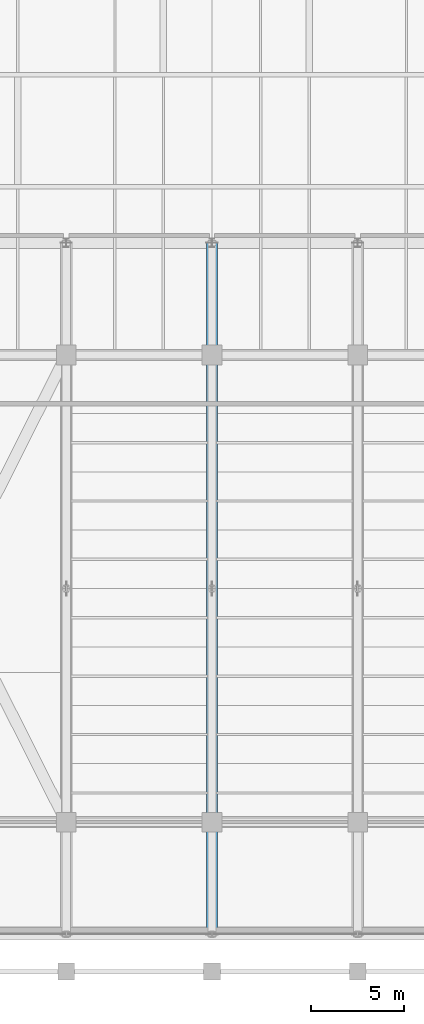
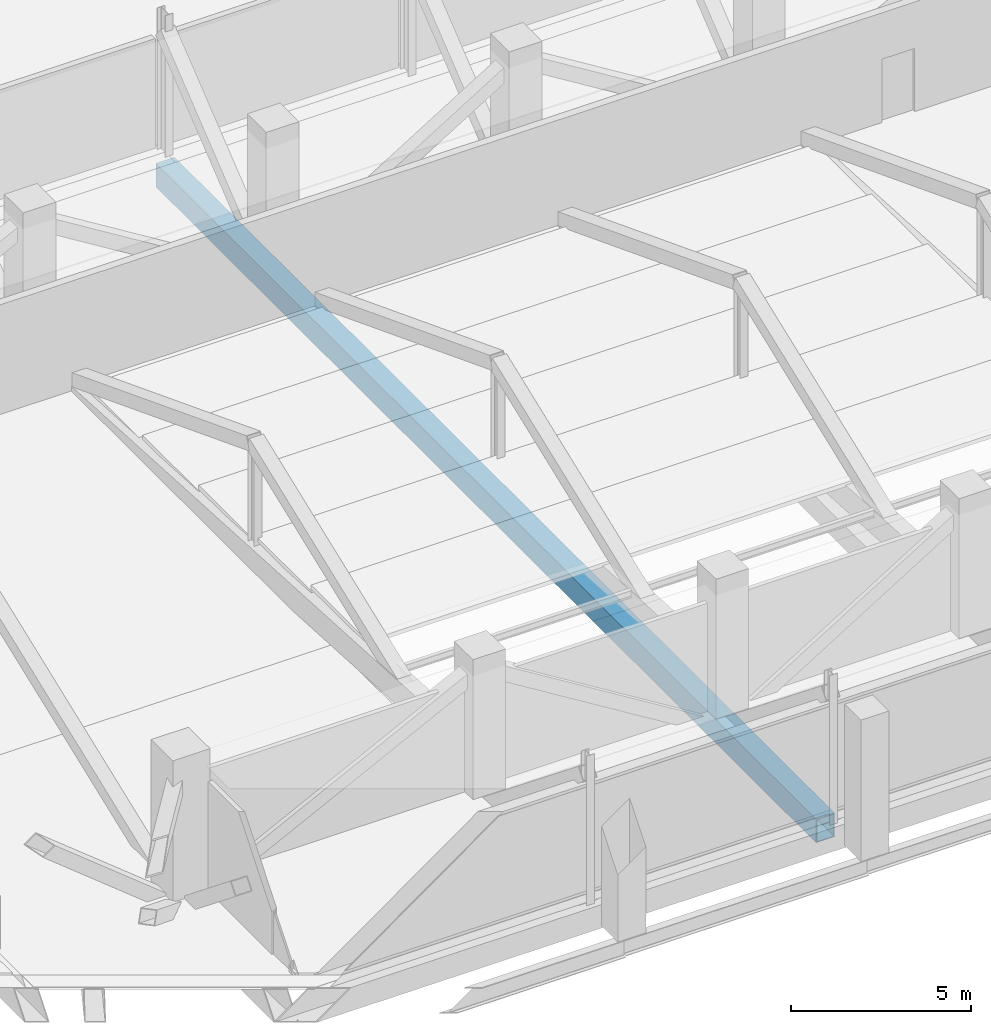
# One storey, part 45 of 127: 1 beam.
"""IFC4 building model written with IfcOpenShell, lengths in metres."""

import ifcopenshell
import ifcopenshell.guid

model = None  # the IFC model being written
_history = None  # IfcOwnerHistory: only IFC2X3 demands one
_inside = {}  # id of a spatial element -> (the spatial element, [elements in it])
_under = {}  # id of a project, library or spatial element -> (it, [spatial elements below it])
_declared = {}  # id of a project -> (the project, [libraries it declares])
_typed = {}  # id of a type object -> (the type object, [elements of that type])
_made_of = {}  # id of a material, layer set ... -> (it, [elements and type objects made of it])


def new_model(schema):
    """Start an empty IFC model of exactly this schema.

    Asked for "IFC4X3", IfcOpenShell would pick the latest addendum, in which some entities
    have other attributes; the version numbers below select the first issue.
    IFC2X3 requires an IfcOwnerHistory on every rooted entity: one is made here for all.
    """
    global model, _history
    if schema == "IFC4X3":
        model = ifcopenshell.file(schema_version=(4, 3, 0, 0))
    else:
        model = ifcopenshell.file(schema=schema)
    _inside.clear()
    _under.clear()
    _declared.clear()
    _typed.clear()
    _made_of.clear()
    _history = None
    if model.schema == "IFC2X3":
        org = make("IfcOrganization", Name="unknown")
        user = make(
            "IfcPersonAndOrganization",
            ThePerson=make("IfcPerson", FamilyName="unknown"),
            TheOrganization=org,
        )
        app = make(
            "IfcApplication",
            ApplicationDeveloper=org,
            Version="unknown",
            ApplicationFullName="unknown",
            ApplicationIdentifier="unknown",
        )
        _history = make(
            "IfcOwnerHistory",
            OwningUser=user,
            OwningApplication=app,
            ChangeAction="ADDED",
            CreationDate=0,
        )
    return model


def make(cls, **values):
    """One entity of the class cls with the attributes given. An attribute that is None is left unset."""
    return model.create_entity(
        cls, **{name: value for name, value in values.items() if value is not None}
    )


def rooted(cls, **values):
    """An entity with a GlobalId (a new one), such as an element, a storey or a relation."""
    return make(cls, GlobalId=ifcopenshell.guid.new(), OwnerHistory=_history, **values)


def si_unit(unit_type, name, prefix=None):
    """IfcSIUnit, for example si_unit("LENGTHUNIT", "METRE", prefix="MILLI")."""
    return make("IfcSIUnit", UnitType=unit_type, Prefix=prefix, Name=name)


def derived_unit(unit_type, elements):
    """IfcDerivedUnit: a product of units, each with its exponent."""
    return make(
        "IfcDerivedUnit",
        Elements=[
            make("IfcDerivedUnitElement", Unit=unit, Exponent=power)
            for unit, power in elements
        ],
        UnitType=unit_type,
    )


def assignment(units):
    """IfcUnitAssignment: the units of a project."""
    return None if units is None else make("IfcUnitAssignment", Units=units)


def point(xyz):
    """IfcCartesianPoint."""
    return None if xyz is None else make("IfcCartesianPoint", Coordinates=xyz)


def direction(xyz):
    """IfcDirection."""
    return None if xyz is None else make("IfcDirection", DirectionRatios=xyz)


def frame(location, z_axis=None, x_axis=None):
    """IfcAxis2Placement3D, a coordinate frame: its origin and axes. An axis left out is left unset."""
    return make(
        "IfcAxis2Placement3D",
        Location=point(location),
        Axis=direction(z_axis),
        RefDirection=direction(x_axis),
    )


def frame_2d(location, x_axis=None):
    """IfcAxis2Placement2D, a coordinate frame in the plane: its origin and x axis."""
    return make(
        "IfcAxis2Placement2D", Location=point(location), RefDirection=direction(x_axis)
    )


def origin():
    """The frame at (0, 0, 0) with its axes left unset."""
    return frame((0.0, 0.0, 0.0))


def origin_2d():
    """The frame at (0, 0) in the plane with its x axis left unset."""
    return frame_2d((0.0, 0.0))


def place(relative_to, where):
    """IfcLocalPlacement: puts the frame where relative to a parent placement (None: the world)."""
    return make(
        "IfcLocalPlacement", PlacementRelTo=relative_to, RelativePlacement=where
    )


def context(
    kind, dimensions, precision=None, world=None, true_north=None, identifier=None
):
    """IfcGeometricRepresentationContext, for example the 3D "Model" context."""
    return make(
        "IfcGeometricRepresentationContext",
        ContextIdentifier=identifier,
        ContextType=kind,
        CoordinateSpaceDimension=dimensions,
        Precision=precision,
        WorldCoordinateSystem=world,
        TrueNorth=true_north,
    )


def subcontext(parent, identifier, kind, view, scale=None):
    """IfcGeometricRepresentationSubContext, for example "Body" below "Model"."""
    return make(
        "IfcGeometricRepresentationSubContext",
        ContextIdentifier=identifier,
        ContextType=kind,
        ParentContext=parent,
        TargetScale=scale,
        TargetView=view,
    )


def project(units=None, contexts=None):
    """IfcProject with its units and contexts."""
    return rooted(
        "IfcProject",
        Name="project",
        RepresentationContexts=contexts,
        UnitsInContext=assignment(units),
    )


def spatial(cls, under=None, at=None, **own):
    """A site, building, storey or space (cls), placed at a placement, below another one or the project."""
    s = rooted(cls, ObjectPlacement=at, **own)
    if under is not None:
        _under.setdefault(under.id(), (under, []))[1].append(s)
    return s


def profile(cls, at=None, kind="AREA", **sizes):
    """A parametric profile (cls). Its sizes go by their IFC names, for example OverallWidth=200.0."""
    return make(cls, ProfileType=kind, Position=at, **sizes)


def hollow_rectangle(**sizes):
    """IfcRectangleHollowProfileDef."""
    return profile("IfcRectangleHollowProfileDef", **sizes)


def extrude(swept, where, along, depth):
    """IfcExtrudedAreaSolid: the profile swept, set in the frame where, extruded along a direction by depth."""
    return make(
        "IfcExtrudedAreaSolid",
        SweptArea=swept,
        Position=where,
        ExtrudedDirection=direction(along),
        Depth=depth,
    )


def shape(context_of_items, identifier, shape_type, items):
    """IfcShapeRepresentation: the items that make up one representation, for example the "Body"."""
    return make(
        "IfcShapeRepresentation",
        ContextOfItems=context_of_items,
        RepresentationIdentifier=identifier,
        RepresentationType=shape_type,
        Items=items,
    )


def material(Name=None, Category=None):
    """IfcMaterial."""
    return make("IfcMaterial", Name=Name, Category=Category)


def material_profile(
    of_material, cross_section, Name=None, Category=None, Priority=None
):
    """IfcMaterialProfile: a cross section and its material."""
    return make(
        "IfcMaterialProfile",
        Name=Name,
        Material=of_material,
        Profile=cross_section,
        Priority=Priority,
        Category=Category,
    )


def profile_set(profiles, Name=None, composite=None):
    """IfcMaterialProfileSet."""
    return make(
        "IfcMaterialProfileSet",
        Name=Name,
        MaterialProfiles=profiles,
        CompositeProfile=composite,
    )


def made_of(thing, what):
    """Note that an element or type object is made of a material, layer set ...; save() writes the relation."""
    if what is not None:
        _made_of.setdefault(what.id(), (what, []))[1].append(thing)
    return thing


def type_object(cls, material=None, **own):
    """A type object (cls), such as IfcWallType, which elements share."""
    return made_of(rooted(cls, **own), material)


def element(
    cls,
    number,
    at=None,
    inside=None,
    cuts=None,
    type_object=None,
    material=None,
    context=None,
    identifier="Body",
    shape_type=None,
    held_by="IfcProductDefinitionShape",
    body=None,
    shapes=None,
    **own,
):
    """One element of the class cls, such as IfcWall. Its Tag is "e" and its number.

    at: its placement. inside: the storey or other place that contains it. cuts: it is an
    opening in that element (IfcRelVoidsElement). A single representation is given by context,
    identifier, shape_type and body (its items); several are given by shapes. held_by: the class
    of the entity that holds the representations. save() writes the other relations.
    """
    e = rooted(cls, Tag="e%d" % number, ObjectPlacement=at, **own)
    if body is not None:
        shapes = [shape(context, identifier, shape_type, body)]
    if shapes is not None:
        e.Representation = make(held_by, Representations=shapes)
    if inside is not None:
        _inside.setdefault(inside.id(), (inside, []))[1].append(e)
    if cuts is not None:
        rooted(
            "IfcRelVoidsElement", RelatingBuildingElement=cuts, RelatedOpeningElement=e
        )
    if type_object is not None:
        _typed.setdefault(type_object.id(), (type_object, []))[1].append(e)
    return made_of(e, material)


def aggregate(whole, parts):
    """IfcRelAggregates: a whole, such as a stair, and the parts it consists of."""
    return rooted("IfcRelAggregates", RelatingObject=whole, RelatedObjects=parts)


def save(model, path):
    """Write the relations noted so far, then the file.

    IfcRelAggregates (storeys below a building ...), IfcRelContainedInSpatialStructure (elements
    in a storey), IfcRelDefinesByType, IfcRelAssociatesMaterial and IfcRelDeclares: one each for
    every whole, place, type object, material and project.
    """
    for whole, parts in _under.values():
        aggregate(whole, parts)
    for where, things in _inside.values():
        rooted(
            "IfcRelContainedInSpatialStructure",
            RelatedElements=things,
            RelatingStructure=where,
        )
    for kind, things in _typed.values():
        rooted("IfcRelDefinesByType", RelatedObjects=things, RelatingType=kind)
    for what, things in _made_of.values():
        rooted("IfcRelAssociatesMaterial", RelatedObjects=things, RelatingMaterial=what)
    for by, libraries in _declared.values():
        rooted("IfcRelDeclares", RelatingContext=by, RelatedDefinitions=libraries)
    model.write(path)


model = new_model("IFC4")

# Units and contexts
model_context = context("Model", 3, precision=1e-05, world=origin(), true_north=direction((0.0, 1.0)))
body_context = subcontext(model_context, "Body", "Model", "MODEL_VIEW")
ifc_project = project(units=[si_unit("LENGTHUNIT", "METRE"), si_unit("AREAUNIT", "SQUARE_METRE"), si_unit("VOLUMEUNIT", "CUBIC_METRE"), si_unit("PLANEANGLEUNIT", "RADIAN"), si_unit("MASSUNIT", "GRAM", prefix="KILO"), derived_unit("THERMALTRANSMITTANCEUNIT", [(si_unit("POWERUNIT", "WATT"), 1), (si_unit("LENGTHUNIT", "METRE"), -2), (si_unit("THERMODYNAMICTEMPERATUREUNIT", "KELVIN"), -1)])], contexts=[model_context])

# Site, building, storey
site_placement = place(None, origin())
site = spatial("IfcSite", under=ifc_project, at=site_placement, CompositionType="ELEMENT")
building_placement = place(site_placement, origin())
building = spatial("IfcBuilding", under=site, at=building_placement, Name="Nallur Shell Playhouse", CompositionType="ELEMENT")
storey_placement = place(building_placement, frame((0.0, 0.0, 5.39990234375)))
storey = spatial("IfcBuildingStorey", under=building, at=storey_placement, Name="L02", CompositionType="ELEMENT", Elevation=5.39990234375)

# Beam
ifc_material = material(Name="Steel E350", Category="steel")
ifc_material_profile = material_profile(ifc_material, hollow_rectangle(XDim=0.60009765625, YDim=0.800048828125, WallThickness=0.02490234375, at=origin_2d()), Name="BOX 600x800x25")
ifc_profile_set = profile_set([ifc_material_profile], Name="Steel E350")
beam_type = type_object("IfcBeamType", Name="BM-TT-CHORD", PredefinedType="BEAM", material=ifc_profile_set)
beam_placement = place(storey_placement, frame((87.39990234375, 10.298095703125, -0.679931640625), z_axis=(0.0, 1.0, 0.0), x_axis=(-1.0, 0.0, 0.0)))
element("IfcBeam", 1, at=beam_placement, inside=storey, type_object=beam_type, Name="Transfer truss TT-5 bottom chord 1", PredefinedType="BEAM", context=body_context, shape_type="SweptSolid", body=[
    extrude(hollow_rectangle(XDim=0.60009765625, YDim=0.800048828125, WallThickness=0.02490234375, at=origin_2d()), origin(), (0.0, 0.0, 1.0), 36.701904296875),
])

save(model, "model.ifc")
